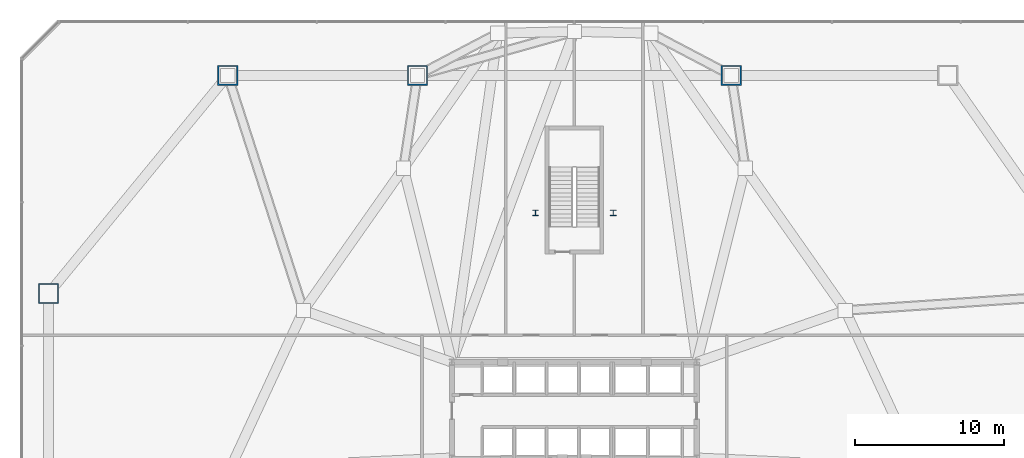
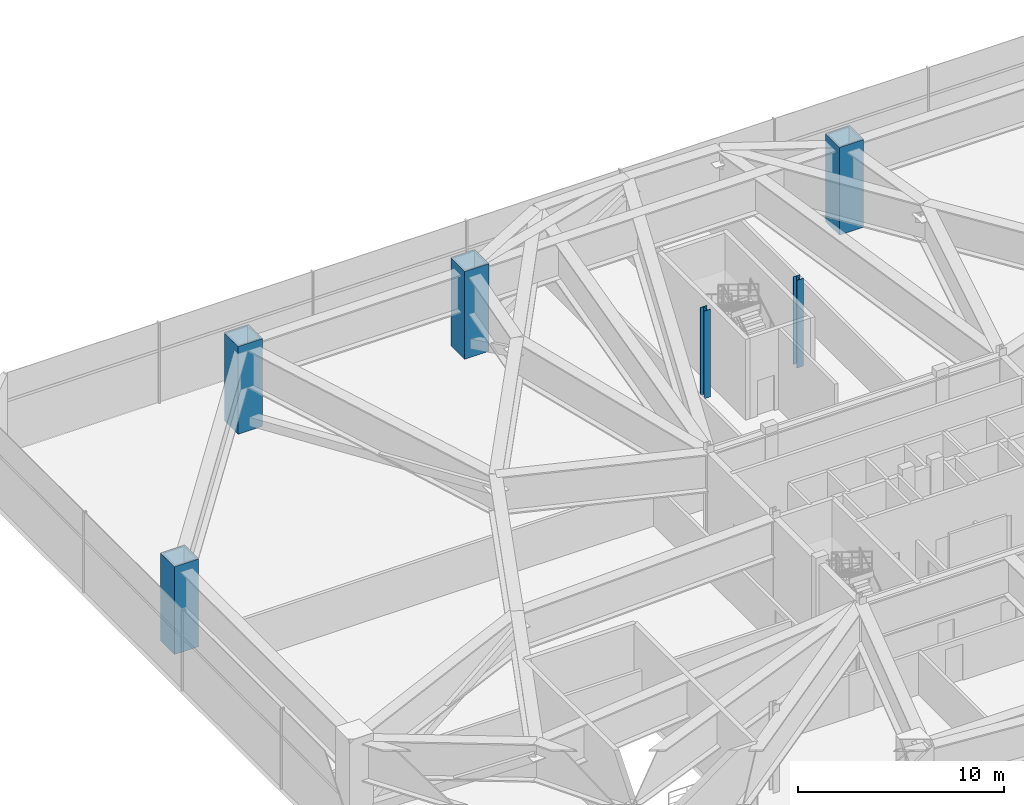
# One storey, part 3 of 29: 6 columns.
"""IFC4 building model written with IfcOpenShell, lengths in metres."""

from ifc_helpers import new_model, si_unit, direction, frame, origin, origin_2d, place, context, subcontext, project, spatial, hollow_rectangle, i_section, extrude, material, material_profile, profile_set, type_object, element, save


model = new_model("IFC4")

# Units and contexts
model_context = context("Model", 3, precision=1e-05, world=origin(), true_north=direction((0.0, 1.0)))
body_context = subcontext(model_context, "Body", "Model", "MODEL_VIEW")
ifc_project = project(units=[si_unit("LENGTHUNIT", "METRE"), si_unit("AREAUNIT", "SQUARE_METRE"), si_unit("VOLUMEUNIT", "CUBIC_METRE"), si_unit("PLANEANGLEUNIT", "RADIAN"), si_unit("MASSUNIT", "GRAM", prefix="KILO")], contexts=[model_context])

# Site, building, storey
site_placement = place(None, origin())
site = spatial("IfcSite", under=ifc_project, at=site_placement, CompositionType="ELEMENT")
building_placement = place(site_placement, origin())
building = spatial("IfcBuilding", under=site, at=building_placement, Name="Varakhsha Concourse Tower", CompositionType="ELEMENT")
storey_placement = place(building_placement, frame((0.0, 0.0, 22.0)))
storey = spatial("IfcBuildingStorey", under=building, at=storey_placement, Name="L05", CompositionType="ELEMENT", Elevation=22.0)

# Columns
ifc_material_1 = material(Name="Structural Steel ASTM A992 Grade 50", Category="steel")
ifc_material_profile_1 = material_profile(ifc_material_1, i_section(OverallWidth=0.3740234375, OverallDepth=0.3720703125, WebThickness=0.01611328125, FlangeThickness=0.02587890625, at=origin_2d()), Name="W14X132")
ifc_profile_set_1 = profile_set([ifc_material_profile_1], Name="Structural Steel ASTM A992 Grade 50")
column_type_1 = type_object("IfcColumnType", Name="CL-CORE-W14X132", PredefinedType="COLUMN", material=ifc_profile_set_1)
for number, where, z_axis, x_axis, name in (
    (1, (37.39990234375, 41.199951171875, 0.0), (0.0, 0.0, 1.0), (1.0, 0.0, 0.0), "L05 Core Column NS-W"),
    (2, (42.60009765625, 41.199951171875, 0.0), (0.0, 0.0, 1.0), (1.0, 0.0, 0.0), "L05 Core Column NS-E"),
):
    element("IfcColumn", number, at=place(storey_placement, frame(where, z_axis=z_axis, x_axis=x_axis)), inside=storey, type_object=column_type_1, Name=name, PredefinedType="COLUMN", context=body_context, shape_type="SweptSolid", body=[
        extrude(i_section(OverallWidth=0.3740234375, OverallDepth=0.3720703125, WebThickness=0.01611328125, FlangeThickness=0.02587890625, at=origin_2d()), origin(), (0.0, 0.0, 1.0), 5.199951171875),
    ])
ifc_material_2 = material(Name="Structural Steel ASTM A572 Grade 50", Category="steel")
ifc_material_profile_2 = material_profile(ifc_material_2, hollow_rectangle(XDim=1.35009765625, YDim=1.35009765625, WallThickness=0.0849609375, at=origin_2d()), Name="BOX 1350x1350x85")
ifc_profile_set_2 = profile_set([ifc_material_profile_2], Name="Structural Steel ASTM A572 Grade 50")
column_type_2 = type_object("IfcColumnType", Name="CL-STILT-1350", PredefinedType="COLUMN", material=ifc_profile_set_2)
for number, where, z_axis, x_axis, name in (
    (3, (4.800048828125, 35.800048828125, 0.0), (0.0, 0.0, 1.0), (1.0, 0.0, 0.0), "L05 Podium Mega-Column PC-W2"),
    (4, (16.800048828125, 50.39990234375, 0.0), (0.0, 0.0, 1.0), (1.0, 0.0, 0.0), "L05 Podium Mega-Column PC-N1"),
    (5, (29.5, 50.39990234375, 0.0), (0.0, 0.0, 1.0), (1.0, 0.0, 0.0), "L05 Podium Mega-Column PC-N2"),
    (6, (50.5, 50.39990234375, 0.0), (0.0, 0.0, 1.0), (1.0, 0.0, 0.0), "L05 Podium Mega-Column PC-N3"),
):
    element("IfcColumn", number, at=place(storey_placement, frame(where, z_axis=z_axis, x_axis=x_axis)), inside=storey, type_object=column_type_2, Name=name, PredefinedType="COLUMN", context=body_context, shape_type="SweptSolid", body=[
        extrude(hollow_rectangle(XDim=1.35009765625, YDim=1.35009765625, WallThickness=0.0849609375, at=origin_2d()), origin(), (0.0, 0.0, 1.0), 5.199951171875),
    ])

save(model, "model.ifc")
